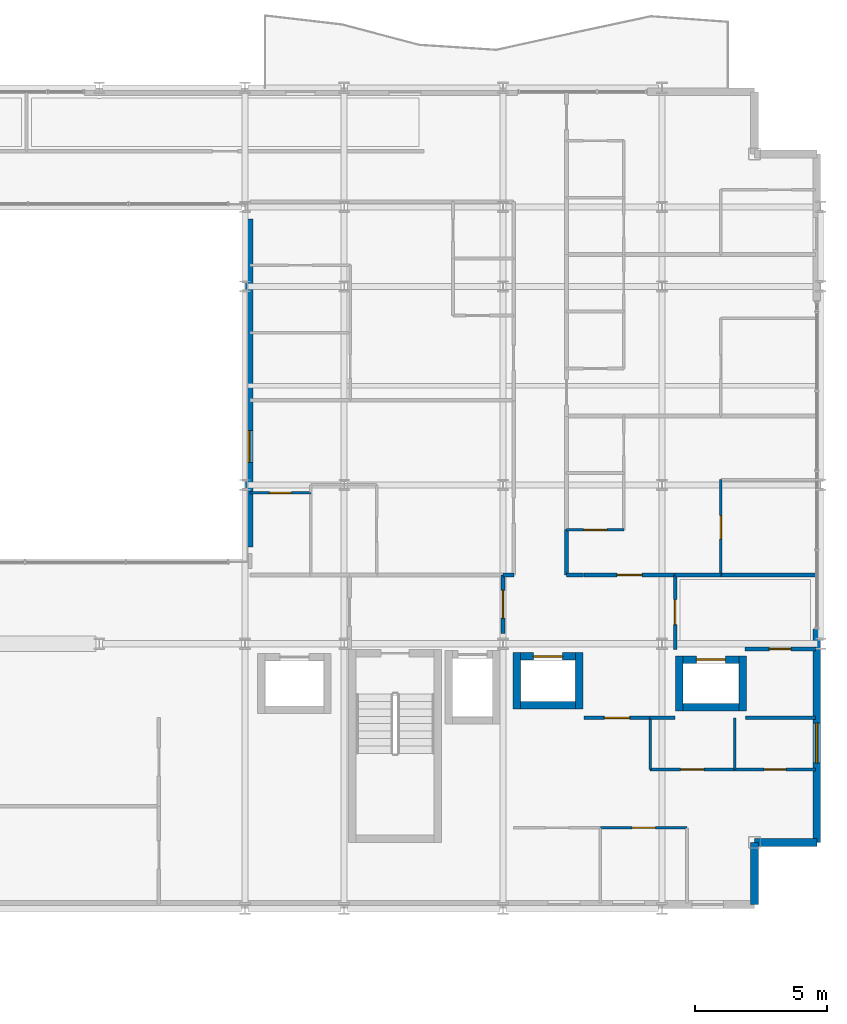
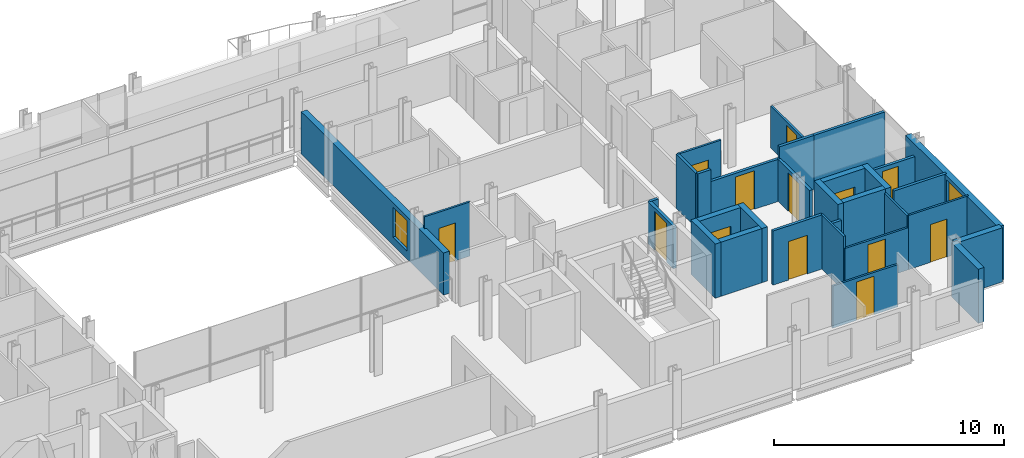
# One storey, part 35 of 41: 32 walls, 13 doors, 2 windows, 15 openings.
"""IFC4 building model written with IfcOpenShell, lengths in metres."""

from ifc_helpers import new_model, si_unit, direction, frame, frame_2d, origin, place, context, subcontext, project, spatial, rectangle, extrude, material, layer, layer_set, type_object, element, fill, save


model = new_model("IFC4")

# Units and contexts
model_context = context("Model", 3, precision=1e-05, world=origin(), true_north=direction((0.0, 1.0)))
body_context = subcontext(model_context, "Body", "Model", "MODEL_VIEW")
ifc_project = project(units=[si_unit("LENGTHUNIT", "METRE"), si_unit("AREAUNIT", "SQUARE_METRE"), si_unit("VOLUMEUNIT", "CUBIC_METRE"), si_unit("PLANEANGLEUNIT", "RADIAN"), si_unit("MASSUNIT", "GRAM", prefix="KILO")], contexts=[model_context])

# Site, building, storey
site_placement = place(None, origin())
site = spatial("IfcSite", under=ifc_project, at=site_placement, CompositionType="ELEMENT")
building_placement = place(site_placement, origin())
building = spatial("IfcBuilding", under=site, at=building_placement, Name="Brevholm Reach", CompositionType="ELEMENT")
storey_placement = place(building_placement, frame((0.0, 0.0, 100.39990234375)))
storey = spatial("IfcBuildingStorey", under=building, at=storey_placement, Name="L29", CompositionType="ELEMENT", Elevation=100.39990234375)

# Walls
ifc_material_1 = material(Name="Concrete C50/60", Category="concrete")
ifc_layer_1 = layer(ifc_material_1, 0.280029296875)
ifc_layer_set_1 = layer_set([ifc_layer_1], Name="Concrete C50/60")
wall_type_1 = type_object("IfcWallType", Name="WAL-COR-280", PredefinedType="SHEAR", material=ifc_layer_set_1)
for number, where, z_axis, x_axis, name in (
    (1, (48.52490234375, 7.534912109375, 0.0), (0.0, 0.0, 1.0), (0.0, 1.0, 0.0), "L29 Lift PL-L1 Shaft Wall W"),
    (2, (50.875, 7.534912109375, 0.0), (0.0, 0.0, 1.0), (0.0, 1.0, 0.0), "L29 Lift PL-L1 Shaft Wall E"),
):
    element("IfcWall", number, at=place(storey_placement, frame(where, z_axis=z_axis, x_axis=x_axis)), inside=storey, type_object=wall_type_1, Name=name, PredefinedType="SHEAR", context=body_context, shape_type="SweptSolid", body=[
        extrude(rectangle(XDim=2.130126953125, YDim=0.280029296875, at=frame_2d((1.06494140625, 0.0))), origin(), (0.0, 0.0, 1.0), 2.880126953125),
    ])
wall_1_placement = place(storey_placement, frame((48.6650390625, 7.675048828125, 0.0), z_axis=(0.0, 0.0, 1.0), x_axis=(1.0, 0.0, 0.0)))
element("IfcWall", 3, at=wall_1_placement, inside=storey, type_object=wall_type_1, Name="L29 Lift PL-L1 Shaft Wall S", PredefinedType="SHEAR", context=body_context, shape_type="SweptSolid", body=[
    extrude(rectangle(XDim=2.070068359375, YDim=0.280029296875, at=frame_2d((1.03515625, 0.0))), origin(), (0.0, 0.0, 1.0), 2.880126953125),
])

# Wall, opening, door
wall_2_placement = place(storey_placement, frame((48.6650390625, 9.52490234375, 0.0), z_axis=(0.0, 0.0, 1.0), x_axis=(1.0, 0.0, 0.0)))
wall_2 = element("IfcWall", 4, at=wall_2_placement, inside=storey, type_object=wall_type_1, Name="L29 Lift PL-L1 Shaft Wall N", PredefinedType="SHEAR", context=body_context, shape_type="SweptSolid", body=[
    extrude(rectangle(XDim=2.070068359375, YDim=0.280029296875, at=frame_2d((1.03515625, 0.0))), origin(), (0.0, 0.0, 1.0), 2.880126953125),
])
opening_1_placement = place(wall_2_placement, frame((0.485107421875, 0.0, 0.0)))
opening_1 = element("IfcOpeningElement", 5, at=opening_1_placement, cuts=wall_2, Name="Opening LD-PL-L1", PredefinedType="OPENING", context=body_context, shape_type="SweptSolid", body=[
    extrude(rectangle(XDim=1.10009765625, YDim=2.06005859375, at=frame_2d((0.550048828125, 1.030029296875))), frame((0.0, 0.14990234375, 0.0), z_axis=(0.0, -1.0, 0.0), x_axis=(1.0, 0.0, 0.0)), (0.0, 0.0, 1.0), 0.300048828125),
])
ifc_material_2 = material(Name="Brushed Stainless Steel Fire-Rated Sliding Lift Door", Category="steel")
door_type_1 = type_object("IfcDoorType", Name="DOR-LFT-1100", OperationType="NOTDEFINED", PredefinedType="DOOR", material=ifc_material_2)
door_1_placement = place(opening_1_placement, origin())
door_1 = element("IfcDoor", 6, at=door_1_placement, inside=storey, type_object=door_type_1, Name="L29 Lift PL-L1 Sliding Landing Door", OperationType="SLIDING_TO_LEFT", OverallHeight=2.06005859375, OverallWidth=1.10009765625, PredefinedType="DOOR", context=body_context, shape_type="SweptSolid", body=[
    extrude(rectangle(XDim=1.10009765625, YDim=2.06005859375, at=frame_2d((0.550048828125, 1.030029296875))), frame((0.0, 0.02490234375, 0.0), z_axis=(0.0, -1.0, 0.0), x_axis=(1.0, 0.0, 0.0)), (0.0, 0.0, 1.0), 0.050048828125),
])
fill(opening_1, door_1)

# Walls
for number, where, z_axis, x_axis, name in (
    (7, (54.64990234375, 7.4599609375, 0.0), (0.0, 0.0, 1.0), (0.0, 1.0, 0.0), "L29 Lift PL-L2 Shaft Wall W"),
    (8, (57.050048828125, 7.4599609375, 0.0), (0.0, 0.0, 1.0), (0.0, 1.0, 0.0), "L29 Lift PL-L2 Shaft Wall E"),
):
    element("IfcWall", number, at=place(storey_placement, frame(where, z_axis=z_axis, x_axis=x_axis)), inside=storey, type_object=wall_type_1, Name=name, PredefinedType="SHEAR", context=body_context, shape_type="SweptSolid", body=[
        extrude(rectangle(XDim=2.080078125, YDim=0.280029296875, at=frame_2d((1.0400390625, 0.0))), origin(), (0.0, 0.0, 1.0), 2.880126953125),
    ])
wall_3_placement = place(storey_placement, frame((54.7900390625, 7.60009765625, 0.0), z_axis=(0.0, 0.0, 1.0), x_axis=(1.0, 0.0, 0.0)))
element("IfcWall", 9, at=wall_3_placement, inside=storey, type_object=wall_type_1, Name="L29 Lift PL-L2 Shaft Wall S", PredefinedType="SHEAR", context=body_context, shape_type="SweptSolid", body=[
    extrude(rectangle(XDim=2.119873046875, YDim=0.280029296875, at=frame_2d((1.06005859375, 0.0))), origin(), (0.0, 0.0, 1.0), 2.880126953125),
])

# Wall, opening, door
wall_4_placement = place(storey_placement, frame((54.7900390625, 9.39990234375, 0.0), z_axis=(0.0, 0.0, 1.0), x_axis=(1.0, 0.0, 0.0)))
wall_4 = element("IfcWall", 10, at=wall_4_placement, inside=storey, type_object=wall_type_1, Name="L29 Lift PL-L2 Shaft Wall N", PredefinedType="SHEAR", context=body_context, shape_type="SweptSolid", body=[
    extrude(rectangle(XDim=2.119873046875, YDim=0.280029296875, at=frame_2d((1.06005859375, 0.0))), origin(), (0.0, 0.0, 1.0), 2.880126953125),
])
opening_2_placement = place(wall_4_placement, frame((0.510009765625, 0.0, 0.0)))
opening_2 = element("IfcOpeningElement", 11, at=opening_2_placement, cuts=wall_4, Name="Opening LD-PL-L2", PredefinedType="OPENING", context=body_context, shape_type="SweptSolid", body=[
    extrude(rectangle(XDim=1.10009765625, YDim=2.06005859375, at=frame_2d((0.550048828125, 1.030029296875))), frame((0.0, 0.14990234375, 0.0), z_axis=(0.0, -1.0, 0.0), x_axis=(1.0, 0.0, 0.0)), (0.0, 0.0, 1.0), 0.300048828125),
])
door_2_placement = place(opening_2_placement, origin())
door_2 = element("IfcDoor", 12, at=door_2_placement, inside=storey, type_object=door_type_1, Name="L29 Lift PL-L2 Sliding Landing Door", OperationType="SLIDING_TO_RIGHT", OverallHeight=2.06005859375, OverallWidth=1.10009765625, PredefinedType="DOOR", context=body_context, shape_type="SweptSolid", body=[
    extrude(rectangle(XDim=1.10009765625, YDim=2.06005859375, at=frame_2d((0.550048828125, 1.030029296875))), frame((0.0, 0.02490234375, 0.0), z_axis=(0.0, -1.0, 0.0), x_axis=(1.0, 0.0, 0.0)), (0.0, 0.0, 1.0), 0.050048828125),
])
fill(opening_2, door_2)

# Walls
ifc_material_3 = material(Name="Concrete C40/50", Category="concrete")
ifc_layer_2 = layer(ifc_material_3, 0.300048828125)
ifc_layer_set_2 = layer_set([ifc_layer_2], Name="Concrete C40/50")
wall_type_2 = type_object("IfcWallType", Name="WAL-EXT-300", PredefinedType="STANDARD", material=ifc_layer_set_2)
for number, where, z_axis, x_axis, name in (
    (13, (57.5, 0.14990234375, 0.0), (0.0, 0.0, 1.0), (0.0, 1.0, 0.0), "L29 Facade Wall WAL-L29-CSE1"),
    (14, (57.5, 2.5, 0.0), (0.0, 0.0, 1.0), (1.0, 0.0, 0.0), "L29 Facade Wall WAL-L29-CSE2"),
):
    element("IfcWall", number, at=place(storey_placement, frame(where, z_axis=z_axis, x_axis=x_axis)), inside=storey, type_object=wall_type_2, Name=name, PredefinedType="STANDARD", context=body_context, shape_type="SweptSolid", body=[
        extrude(rectangle(XDim=2.35009765625, YDim=0.300048828125, at=frame_2d((1.175048828125, 0.0))), origin(), (0.0, 0.0, 1.0), 2.880126953125),
    ])

# Wall, opening, window
wall_5_placement = place(storey_placement, frame((59.85009765625, 2.5, 0.0), z_axis=(0.0, 0.0, 1.0), x_axis=(0.0, 1.0, 0.0)))
wall_5 = element("IfcWall", 15, at=wall_5_placement, inside=storey, type_object=wall_type_2, Name="L29 Facade Wall WAL-L29-E-S", PredefinedType="STANDARD", context=body_context, shape_type="SweptSolid", body=[
    extrude(rectangle(XDim=8.050048828125, YDim=0.300048828125, at=frame_2d((4.02490234375, 0.0))), origin(), (0.0, 0.0, 1.0), 2.880126953125),
])
opening_3_placement = place(wall_5_placement, frame((3.0, 0.0, 0.860107421875)))
opening_3 = element("IfcOpeningElement", 16, at=opening_3_placement, cuts=wall_5, Name="Opening WN-05", PredefinedType="OPENING", context=body_context, shape_type="SweptSolid", body=[
    extrude(rectangle(XDim=1.5, YDim=1.800048828125, at=frame_2d((0.75, 0.89990234375))), frame((0.0, 0.159912109375, 0.0), z_axis=(0.0, -1.0, 0.0), x_axis=(1.0, 0.0, 0.0)), (0.0, 0.0, 1.0), 0.320068359375),
])
ifc_material_4 = material(Name="Dark Anodised Aluminium and Solar-Control IGU Glass", Category="aluminium")
window_type_1 = type_object("IfcWindowType", Name="WIN-RES-1500", PartitioningType="SINGLE_PANEL", PredefinedType="WINDOW", material=ifc_material_4)
window_1_placement = place(opening_3_placement, origin())
window_1 = element("IfcWindow", 17, at=window_1_placement, inside=storey, type_object=window_type_1, Name="L29 Window WIN-L29-ES-1", OverallHeight=1.800048828125, OverallWidth=1.5, PartitioningType="SINGLE_PANEL", PredefinedType="WINDOW", context=body_context, shape_type="SweptSolid", body=[
    extrude(rectangle(XDim=1.5, YDim=1.800048828125, at=frame_2d((0.75, 0.89990234375))), frame((0.0, 0.030029296875, 0.0), z_axis=(0.0, -1.0, 0.0), x_axis=(1.0, 0.0, 0.0)), (0.0, 0.0, 1.0), 0.06005859375),
])
fill(opening_3, window_1)

wall_6_placement = place(storey_placement, frame((38.39990234375, 13.64990234375, 0.0), z_axis=(0.0, 0.0, 1.0), x_axis=(0.0, 1.0, 0.0)))
wall_6 = element("IfcWall", 18, at=wall_6_placement, inside=storey, type_object=wall_type_2, Name="L29 Facade Wall WAL-L29-AT-E", PredefinedType="STANDARD", context=body_context, shape_type="SweptSolid", body=[
    extrude(rectangle(XDim=12.400146484375, YDim=0.300048828125, at=frame_2d((6.2001953125, 0.0))), origin(), (0.0, 0.0, 1.0), 2.242919921875),
])
opening_4_placement = place(wall_6_placement, frame((3.199951171875, 0.0, 0.423095703125)))
opening_4 = element("IfcOpeningElement", 19, at=opening_4_placement, cuts=wall_6, Name="Opening WN-08", PredefinedType="OPENING", context=body_context, shape_type="SweptSolid", body=[
    extrude(rectangle(XDim=1.199951171875, YDim=1.60009765625, at=frame_2d((0.60009765625, 0.800048828125))), frame((0.0, 0.159912109375, 0.0), z_axis=(0.0, -1.0, 0.0), x_axis=(1.0, 0.0, 0.0)), (0.0, 0.0, 1.0), 0.320068359375),
])
ifc_material_5 = material(Name="Dark Anodised Aluminium and Solar-Control IGU Glass", Category="aluminium")
window_type_2 = type_object("IfcWindowType", Name="WIN-RES-1200", PartitioningType="SINGLE_PANEL", PredefinedType="WINDOW", material=ifc_material_5)
window_2_placement = place(opening_4_placement, origin())
window_2 = element("IfcWindow", 20, at=window_2_placement, inside=storey, type_object=window_type_2, Name="L29 Window WIN-L29-AT-E1", OverallHeight=1.60009765625, OverallWidth=1.199951171875, PartitioningType="SINGLE_PANEL", PredefinedType="WINDOW", context=body_context, shape_type="SweptSolid", body=[
    extrude(rectangle(XDim=1.199951171875, YDim=1.60009765625, at=frame_2d((0.60009765625, 0.800048828125))), frame((0.0, 0.030029296875, 0.0), z_axis=(0.0, -1.0, 0.0), x_axis=(1.0, 0.0, 0.0)), (0.0, 0.0, 1.0), 0.06005859375),
])
fill(opening_4, window_2)

# Wall
ifc_material_6 = material(Name="Moisture-Resistant Acoustic Gypsum Stud Partition 100 mm", Category="gypsum")
ifc_layer_3 = layer(ifc_material_6, 0.10009765625)
ifc_layer_set_3 = layer_set([ifc_layer_3], Name="Moisture-Resistant Acoustic Gypsum Stud Partition 100 mm")
wall_type_3 = type_object("IfcWallType", Name="WAL-PRT-100", PredefinedType="PARTITIONING", material=ifc_layer_set_3)
wall_7_placement = place(storey_placement, frame((56.75, 5.25, 0.0), z_axis=(0.0, 0.0, 1.0), x_axis=(0.0, 1.0, 0.0)))
element("IfcWall", 21, at=wall_7_placement, inside=storey, type_object=wall_type_3, Name="L29 Internal Partition 079", PredefinedType="PARTITIONING", context=body_context, shape_type="SweptSolid", body=[
    extrude(rectangle(XDim=1.949951171875, YDim=0.10009765625, at=frame_2d((0.97509765625, 0.0))), origin(), (0.0, 0.0, 1.0), 2.880126953125),
])

# Wall, opening, door
wall_8_placement = place(storey_placement, frame((56.75, 5.25, 0.0), z_axis=(0.0, 0.0, 1.0), x_axis=(1.0, 0.0, 0.0)))
wall_8 = element("IfcWall", 22, at=wall_8_placement, inside=storey, type_object=wall_type_3, Name="L29 Internal Partition 080", PredefinedType="PARTITIONING", context=body_context, shape_type="SweptSolid", body=[
    extrude(rectangle(XDim=3.050048828125, YDim=0.10009765625, at=frame_2d((1.52490234375, 0.0))), origin(), (0.0, 0.0, 1.0), 2.880126953125),
])
opening_5_placement = place(wall_8_placement, frame((1.114990234375, 0.0, 0.0)))
opening_5 = element("IfcOpeningElement", 23, at=opening_5_placement, cuts=wall_8, Name="Opening ID-03", PredefinedType="OPENING", context=body_context, shape_type="SweptSolid", body=[
    extrude(rectangle(XDim=0.820068359375, YDim=2.02001953125, at=frame_2d((0.41015625, 1.010009765625))), frame((0.0, 0.06005859375, 0.0), z_axis=(0.0, -1.0, 0.0), x_axis=(1.0, 0.0, 0.0)), (0.0, 0.0, 1.0), 0.1201171875),
])
ifc_material_7 = material(Name="Moisture-Resistant Painted Timber Internal Bathroom Door", Category="wood")
door_type_2 = type_object("IfcDoorType", Name="DOR-BATH-820", OperationType="NOTDEFINED", PredefinedType="DOOR", material=ifc_material_7)
door_3_placement = place(opening_5_placement, origin())
door_3 = element("IfcDoor", 24, at=door_3_placement, inside=storey, type_object=door_type_2, Name="L29 Internal Door 028", OperationType="SINGLE_SWING_LEFT", OverallHeight=2.02001953125, OverallWidth=0.820068359375, PredefinedType="DOOR", context=body_context, shape_type="SweptSolid", body=[
    extrude(rectangle(XDim=0.820068359375, YDim=2.02001953125, at=frame_2d((0.41015625, 1.010009765625))), frame((0.0, 0.02490234375, 0.0), z_axis=(0.0, -1.0, 0.0), x_axis=(1.0, 0.0, 0.0)), (0.0, 0.0, 1.0), 0.050048828125),
])
fill(opening_5, door_3)

wall_9_placement = place(storey_placement, frame((53.55810546875, 5.25, 0.0), z_axis=(0.0, 0.0, 1.0), x_axis=(1.0, 0.0, 0.0)))
wall_9 = element("IfcWall", 25, at=wall_9_placement, inside=storey, type_object=wall_type_3, Name="L29 Internal Partition 081", PredefinedType="PARTITIONING", context=body_context, shape_type="SweptSolid", body=[
    extrude(rectangle(XDim=3.18798828125, YDim=0.10009765625, at=frame_2d((1.593994140625, 0.0))), origin(), (0.0, 0.0, 1.0), 2.242919921875),
])
opening_6_placement = place(wall_9_placement, frame((1.154052734375, 0.0, 0.0)))
opening_6 = element("IfcOpeningElement", 26, at=opening_6_placement, cuts=wall_9, Name="Opening ID-01", PredefinedType="OPENING", context=body_context, shape_type="SweptSolid", body=[
    extrude(rectangle(XDim=0.8798828125, YDim=2.0400390625, at=frame_2d((0.43994140625, 1.02001953125))), frame((0.0, 0.06005859375, 0.0), z_axis=(0.0, -1.0, 0.0), x_axis=(1.0, 0.0, 0.0)), (0.0, 0.0, 1.0), 0.1201171875),
])
ifc_material_8 = material(Name="Lacquered Ash Solid-Core Acoustic Internal Door", Category="timber")
door_type_3 = type_object("IfcDoorType", Name="DOR-INT-880", OperationType="NOTDEFINED", PredefinedType="DOOR", material=ifc_material_8)
door_4_placement = place(opening_6_placement, origin())
door_4 = element("IfcDoor", 27, at=door_4_placement, inside=storey, type_object=door_type_3, Name="L29 Internal Door 029", OperationType="SINGLE_SWING_RIGHT", OverallHeight=2.0400390625, OverallWidth=0.8798828125, PredefinedType="DOOR", context=body_context, shape_type="SweptSolid", body=[
    extrude(rectangle(XDim=0.8798828125, YDim=2.0400390625, at=frame_2d((0.43994140625, 1.02001953125))), frame((0.0, 0.02490234375, 0.0), z_axis=(0.0, -1.0, 0.0), x_axis=(1.0, 0.0, 0.0)), (0.0, 0.0, 1.0), 0.050048828125),
])
fill(opening_6, door_4)

# Wall
wall_10_placement = place(storey_placement, frame((53.55810546875, 5.25, 0.0), z_axis=(0.0, 0.0, 1.0), x_axis=(0.0, 1.0, 0.0)))
element("IfcWall", 28, at=wall_10_placement, inside=storey, type_object=wall_type_3, Name="L29 Internal Partition 082", PredefinedType="PARTITIONING", context=body_context, shape_type="SweptSolid", body=[
    extrude(rectangle(XDim=1.946044921875, YDim=0.10009765625, at=frame_2d((0.97314453125, 0.0))), origin(), (0.0, 0.0, 1.0), 2.880126953125),
])

# Wall, opening, door
wall_11_placement = place(storey_placement, frame((51.678955078125, 3.050048828125, 0.0), z_axis=(0.0, 0.0, 1.0), x_axis=(1.0, 0.0, 0.0)))
wall_11 = element("IfcWall", 29, at=wall_11_placement, inside=storey, type_object=wall_type_3, Name="L29 Internal Partition 086", PredefinedType="PARTITIONING", context=body_context, shape_type="SweptSolid", body=[
    extrude(rectangle(XDim=3.27099609375, YDim=0.10009765625, at=frame_2d((1.635498046875, 0.0))), origin(), (0.0, 0.0, 1.0), 2.242919921875),
])
opening_7_placement = place(wall_11_placement, frame((1.195556640625, 0.0, 0.0)))
opening_7 = element("IfcOpeningElement", 30, at=opening_7_placement, cuts=wall_11, Name="Opening ID-01", PredefinedType="OPENING", context=body_context, shape_type="SweptSolid", body=[
    extrude(rectangle(XDim=0.8798828125, YDim=2.0400390625, at=frame_2d((0.43994140625, 1.02001953125))), frame((0.0, 0.06005859375, 0.0), z_axis=(0.0, -1.0, 0.0), x_axis=(1.0, 0.0, 0.0)), (0.0, 0.0, 1.0), 0.1201171875),
])
door_5_placement = place(opening_7_placement, origin())
door_5 = element("IfcDoor", 31, at=door_5_placement, inside=storey, type_object=door_type_3, Name="L29 Internal Door 031", OperationType="SINGLE_SWING_RIGHT", OverallHeight=2.0400390625, OverallWidth=0.8798828125, PredefinedType="DOOR", context=body_context, shape_type="SweptSolid", body=[
    extrude(rectangle(XDim=0.8798828125, YDim=2.0400390625, at=frame_2d((0.43994140625, 1.02001953125))), frame((0.0, 0.02490234375, 0.0), z_axis=(0.0, -1.0, 0.0), x_axis=(1.0, 0.0, 0.0)), (0.0, 0.0, 1.0), 0.050048828125),
])
fill(opening_7, door_5)

wall_12_placement = place(storey_placement, frame((38.449951171875, 15.699951171875, 0.0), z_axis=(0.0, 0.0, 1.0), x_axis=(1.0, 0.0, 0.0)))
wall_12 = element("IfcWall", 32, at=wall_12_placement, inside=storey, type_object=wall_type_3, Name="L29 Internal Partition 126", PredefinedType="PARTITIONING", context=body_context, shape_type="SweptSolid", body=[
    extrude(rectangle(XDim=2.2880859375, YDim=0.10009765625, at=frame_2d((1.14404296875, 0.0))), origin(), (0.0, 0.0, 1.0), 2.880126953125),
])
opening_8_placement = place(wall_12_placement, frame((0.73388671875, 0.0, 0.0)))
opening_8 = element("IfcOpeningElement", 33, at=opening_8_placement, cuts=wall_12, Name="Opening ID-03", PredefinedType="OPENING", context=body_context, shape_type="SweptSolid", body=[
    extrude(rectangle(XDim=0.820068359375, YDim=2.02001953125, at=frame_2d((0.41015625, 1.010009765625))), frame((0.0, 0.06005859375, 0.0), z_axis=(0.0, -1.0, 0.0), x_axis=(1.0, 0.0, 0.0)), (0.0, 0.0, 1.0), 0.1201171875),
])
door_6_placement = place(opening_8_placement, origin())
door_6 = element("IfcDoor", 34, at=door_6_placement, inside=storey, type_object=door_type_2, Name="L29 Internal Door 047", OperationType="SINGLE_SWING_RIGHT", OverallHeight=2.02001953125, OverallWidth=0.820068359375, PredefinedType="DOOR", context=body_context, shape_type="SweptSolid", body=[
    extrude(rectangle(XDim=0.820068359375, YDim=2.02001953125, at=frame_2d((0.41015625, 1.010009765625))), frame((0.0, 0.02490234375, 0.0), z_axis=(0.0, -1.0, 0.0), x_axis=(1.0, 0.0, 0.0)), (0.0, 0.0, 1.0), 0.050048828125),
])
fill(opening_8, door_6)

wall_13_placement = place(storey_placement, frame((50.404052734375, 14.300048828125, 0.0), z_axis=(0.0, 0.0, 1.0), x_axis=(1.0, 0.0, 0.0)))
wall_13 = element("IfcWall", 35, at=wall_13_placement, inside=storey, type_object=wall_type_3, Name="L29 Internal Partition 143", PredefinedType="PARTITIONING", context=body_context, shape_type="SweptSolid", body=[
    extrude(rectangle(XDim=2.157958984375, YDim=0.10009765625, at=frame_2d((1.0791015625, 0.0))), origin(), (0.0, 0.0, 1.0), 2.880126953125),
])
opening_9_placement = place(wall_13_placement, frame((0.638916015625, 0.0, 0.0)))
opening_9 = element("IfcOpeningElement", 36, at=opening_9_placement, cuts=wall_13, Name="Opening ID-01", PredefinedType="OPENING", context=body_context, shape_type="SweptSolid", body=[
    extrude(rectangle(XDim=0.8798828125, YDim=2.0400390625, at=frame_2d((0.43994140625, 1.02001953125))), frame((0.0, 0.06005859375, 0.0), z_axis=(0.0, -1.0, 0.0), x_axis=(1.0, 0.0, 0.0)), (0.0, 0.0, 1.0), 0.1201171875),
])
door_7_placement = place(opening_9_placement, origin())
door_7 = element("IfcDoor", 37, at=door_7_placement, inside=storey, type_object=door_type_3, Name="L29 Internal Door 054", OperationType="SINGLE_SWING_LEFT", OverallHeight=2.0400390625, OverallWidth=0.8798828125, PredefinedType="DOOR", context=body_context, shape_type="SweptSolid", body=[
    extrude(rectangle(XDim=0.8798828125, YDim=2.0400390625, at=frame_2d((0.43994140625, 1.02001953125))), frame((0.0, 0.02490234375, 0.0), z_axis=(0.0, -1.0, 0.0), x_axis=(1.0, 0.0, 0.0)), (0.0, 0.0, 1.0), 0.050048828125),
])
fill(opening_9, door_7)

wall_14_placement = place(storey_placement, frame((56.22802734375, 12.60400390625, 0.0), z_axis=(0.0, 0.0, 1.0), x_axis=(0.0, 1.0, 0.0)))
wall_14 = element("IfcWall", 38, at=wall_14_placement, inside=storey, type_object=wall_type_3, Name="L29 Internal Partition 146", PredefinedType="PARTITIONING", context=body_context, shape_type="SweptSolid", body=[
    extrude(rectangle(XDim=3.595947265625, YDim=0.10009765625, at=frame_2d((1.7978515625, 0.0))), origin(), (0.0, 0.0, 1.0), 2.242919921875),
])
opening_10_placement = place(wall_14_placement, frame((1.35791015625, 0.0, 0.0)))
opening_10 = element("IfcOpeningElement", 39, at=opening_10_placement, cuts=wall_14, Name="Opening ID-01", PredefinedType="OPENING", context=body_context, shape_type="SweptSolid", body=[
    extrude(rectangle(XDim=0.8798828125, YDim=2.0400390625, at=frame_2d((0.43994140625, 1.02001953125))), frame((0.0, 0.06005859375, 0.0), z_axis=(0.0, -1.0, 0.0), x_axis=(1.0, 0.0, 0.0)), (0.0, 0.0, 1.0), 0.1201171875),
])
door_8_placement = place(opening_10_placement, origin())
door_8 = element("IfcDoor", 40, at=door_8_placement, inside=storey, type_object=door_type_3, Name="L29 Internal Door 055", OperationType="SINGLE_SWING_RIGHT", OverallHeight=2.0400390625, OverallWidth=0.8798828125, PredefinedType="DOOR", context=body_context, shape_type="SweptSolid", body=[
    extrude(rectangle(XDim=0.8798828125, YDim=2.0400390625, at=frame_2d((0.43994140625, 1.02001953125))), frame((0.0, 0.02490234375, 0.0), z_axis=(0.0, -1.0, 0.0), x_axis=(1.0, 0.0, 0.0)), (0.0, 0.0, 1.0), 0.050048828125),
])
fill(opening_10, door_8)

ifc_material_9 = material(Name="Twin-Stud Acoustic Fire-Rated Gypsum Partition 140 mm", Category="gypsum")
ifc_layer_4 = layer(ifc_material_9, 0.139892578125)
ifc_layer_set_4 = layer_set([ifc_layer_4], Name="Twin-Stud Acoustic Fire-Rated Gypsum Partition 140 mm")
wall_type_4 = type_object("IfcWallType", Name="WAL-PRT-140", PredefinedType="PARTITIONING", material=ifc_layer_set_4)
wall_15_placement = place(storey_placement, frame((54.5, 9.788818359375, 0.0), z_axis=(0.0, 0.0, 1.0), x_axis=(0.0, 1.0, 0.0)))
wall_15 = element("IfcWall", 41, at=wall_15_placement, inside=storey, type_object=wall_type_4, Name="L29 Internal Partition 009", PredefinedType="PARTITIONING", context=body_context, shape_type="SweptSolid", body=[
    extrude(rectangle(XDim=2.811279296875, YDim=0.139892578125, at=frame_2d((1.40576171875, 0.0))), origin(), (0.0, 0.0, 1.0), 2.242919921875),
])
opening_11_placement = place(wall_15_placement, frame((0.9306640625, 0.0, 0.0)))
opening_11 = element("IfcOpeningElement", 42, at=opening_11_placement, cuts=wall_15, Name="Opening ID-30", PredefinedType="OPENING", context=body_context, shape_type="SweptSolid", body=[
    extrude(rectangle(XDim=0.949951171875, YDim=2.050048828125, at=frame_2d((0.47509765625, 1.02490234375))), frame((0.0, 0.079833984375, 0.0), z_axis=(0.0, -1.0, 0.0), x_axis=(1.0, 0.0, 0.0)), (0.0, 0.0, 1.0), 0.159912109375),
])
ifc_material_10 = material(Name="European Oak Veneered Solid-Core Fire Entrance Door", Category="timber")
door_type_4 = type_object("IfcDoorType", Name="DOR-FLT-FD30S", OperationType="NOTDEFINED", PredefinedType="DOOR", material=ifc_material_10)
door_9_placement = place(opening_11_placement, origin())
door_9 = element("IfcDoor", 43, at=door_9_placement, inside=storey, type_object=door_type_4, Name="L29 Internal Door 005", OperationType="SINGLE_SWING_RIGHT", OverallHeight=2.050048828125, OverallWidth=0.949951171875, PredefinedType="DOOR", context=body_context, shape_type="SweptSolid", body=[
    extrude(rectangle(XDim=0.949951171875, YDim=2.050048828125, at=frame_2d((0.47509765625, 1.02490234375))), frame((0.0, 0.02490234375, 0.0), z_axis=(0.0, -1.0, 0.0), x_axis=(1.0, 0.0, 0.0)), (0.0, 0.0, 1.0), 0.050048828125),
])
fill(opening_11, door_9)

# Wall
wall_16_placement = place(storey_placement, frame((53.546630859375, 7.199951171875, 0.0), z_axis=(0.0, 0.0, 1.0), x_axis=(1.0, 0.0, 0.0)))
element("IfcWall", 44, at=wall_16_placement, inside=storey, type_object=wall_type_4, Name="L29 Internal Partition 010", PredefinedType="PARTITIONING", context=body_context, shape_type="SweptSolid", body=[
    extrude(rectangle(XDim=0.953369140625, YDim=0.139892578125, at=frame_2d((0.4765625, 0.0))), origin(), (0.0, 0.0, 1.0), 2.242919921875),
])

# Wall, opening, door
wall_17_placement = place(storey_placement, frame((51.050048828125, 7.199951171875, 0.0), z_axis=(0.0, 0.0, 1.0), x_axis=(1.0, 0.0, 0.0)))
wall_17 = element("IfcWall", 45, at=wall_17_placement, inside=storey, type_object=wall_type_4, Name="L29 Internal Partition 011", PredefinedType="PARTITIONING", context=body_context, shape_type="SweptSolid", body=[
    extrude(rectangle(XDim=2.51513671875, YDim=0.139892578125, at=frame_2d((1.257568359375, 0.0))), origin(), (0.0, 0.0, 1.0), 2.880126953125),
])
opening_12_placement = place(wall_17_placement, frame((0.78271484375, 0.0, 0.0)))
opening_12 = element("IfcOpeningElement", 46, at=opening_12_placement, cuts=wall_17, Name="Opening ID-30", PredefinedType="OPENING", context=body_context, shape_type="SweptSolid", body=[
    extrude(rectangle(XDim=0.949951171875, YDim=2.050048828125, at=frame_2d((0.47509765625, 1.02490234375))), frame((0.0, 0.079833984375, 0.0), z_axis=(0.0, -1.0, 0.0), x_axis=(1.0, 0.0, 0.0)), (0.0, 0.0, 1.0), 0.159912109375),
])
door_10_placement = place(opening_12_placement, origin())
door_10 = element("IfcDoor", 47, at=door_10_placement, inside=storey, type_object=door_type_4, Name="L29 Internal Door 006", OperationType="SINGLE_SWING_LEFT", OverallHeight=2.050048828125, OverallWidth=0.949951171875, PredefinedType="DOOR", context=body_context, shape_type="SweptSolid", body=[
    extrude(rectangle(XDim=0.949951171875, YDim=2.050048828125, at=frame_2d((0.47509765625, 1.02490234375))), frame((0.0, 0.02490234375, 0.0), z_axis=(0.0, -1.0, 0.0), x_axis=(1.0, 0.0, 0.0)), (0.0, 0.0, 1.0), 0.050048828125),
])
fill(opening_12, door_10)

wall_18_placement = place(storey_placement, frame((51.050048828125, 12.60009765625, 0.0), z_axis=(0.0, 0.0, 1.0), x_axis=(1.0, 0.0, 0.0)))
wall_18 = element("IfcWall", 48, at=wall_18_placement, inside=storey, type_object=wall_type_4, Name="L29 Internal Partition 012", PredefinedType="PARTITIONING", context=body_context, shape_type="SweptSolid", body=[
    extrude(rectangle(XDim=3.449951171875, YDim=0.139892578125, at=frame_2d((1.72509765625, 0.0))), origin(), (0.0, 0.0, 1.0), 2.242919921875),
])
opening_13_placement = place(wall_18_placement, frame((1.25, 0.0, 0.0)))
opening_13 = element("IfcOpeningElement", 49, at=opening_13_placement, cuts=wall_18, Name="Opening ID-30", PredefinedType="OPENING", context=body_context, shape_type="SweptSolid", body=[
    extrude(rectangle(XDim=0.949951171875, YDim=2.050048828125, at=frame_2d((0.47509765625, 1.02490234375))), frame((0.0, 0.079833984375, 0.0), z_axis=(0.0, -1.0, 0.0), x_axis=(1.0, 0.0, 0.0)), (0.0, 0.0, 1.0), 0.159912109375),
])
door_11_placement = place(opening_13_placement, origin())
door_11 = element("IfcDoor", 50, at=door_11_placement, inside=storey, type_object=door_type_4, Name="L29 Internal Door 007", OperationType="SINGLE_SWING_RIGHT", OverallHeight=2.050048828125, OverallWidth=0.949951171875, PredefinedType="DOOR", context=body_context, shape_type="SweptSolid", body=[
    extrude(rectangle(XDim=0.949951171875, YDim=2.050048828125, at=frame_2d((0.47509765625, 1.02490234375))), frame((0.0, 0.02490234375, 0.0), z_axis=(0.0, -1.0, 0.0), x_axis=(1.0, 0.0, 0.0)), (0.0, 0.0, 1.0), 0.050048828125),
])
fill(opening_13, door_11)

# Walls
wall_19_placement = place(storey_placement, frame((48.00390625, 12.60009765625, 0.0), z_axis=(0.0, 0.0, 1.0), x_axis=(1.0, 0.0, 0.0)))
element("IfcWall", 51, at=wall_19_placement, inside=storey, type_object=wall_type_4, Name="L29 Internal Partition 029", PredefinedType="PARTITIONING", context=body_context, shape_type="SweptSolid", body=[
    extrude(rectangle(XDim=0.4033203125, YDim=0.139892578125, at=frame_2d((0.20166015625, 0.0))), origin(), (0.0, 0.0, 1.0), 2.242919921875),
])
wall_20_placement = place(storey_placement, frame((50.392578125, 12.60009765625, 0.0), z_axis=(0.0, 0.0, 1.0), x_axis=(1.0, 0.0, 0.0)))
element("IfcWall", 52, at=wall_20_placement, inside=storey, type_object=wall_type_4, Name="L29 Internal Partition 030", PredefinedType="PARTITIONING", context=body_context, shape_type="SweptSolid", body=[
    extrude(rectangle(XDim=0.6533203125, YDim=0.139892578125, at=frame_2d((0.32666015625, 0.0))), origin(), (0.0, 0.0, 1.0), 2.880126953125),
])
wall_21_placement = place(storey_placement, frame((50.39990234375, 12.60400390625, 0.0), z_axis=(0.0, 0.0, 1.0), x_axis=(0.0, 1.0, 0.0)))
element("IfcWall", 53, at=wall_21_placement, inside=storey, type_object=wall_type_4, Name="L29 Internal Partition 050", PredefinedType="PARTITIONING", context=body_context, shape_type="SweptSolid", body=[
    extrude(rectangle(XDim=1.703369140625, YDim=0.139892578125, at=frame_2d((0.8515625, 0.0))), origin(), (0.0, 0.0, 1.0), 2.880126953125),
])

# Wall, opening, door
wall_22_placement = place(storey_placement, frame((57.138671875, 9.800048828125, 0.0), z_axis=(0.0, 0.0, 1.0), x_axis=(1.0, 0.0, 0.0)))
wall_22 = element("IfcWall", 54, at=wall_22_placement, inside=storey, type_object=wall_type_4, Name="L29 Internal Partition 075", PredefinedType="PARTITIONING", context=body_context, shape_type="SweptSolid", body=[
    extrude(rectangle(XDim=2.661376953125, YDim=0.139892578125, at=frame_2d((1.33056640625, 0.0))), origin(), (0.0, 0.0, 1.0), 2.242919921875),
])
opening_14_placement = place(wall_22_placement, frame((0.920654296875, 0.0, 0.0)))
opening_14 = element("IfcOpeningElement", 55, at=opening_14_placement, cuts=wall_22, Name="Opening ID-02", PredefinedType="OPENING", context=body_context, shape_type="SweptSolid", body=[
    extrude(rectangle(XDim=0.820068359375, YDim=2.02001953125, at=frame_2d((0.41015625, 1.010009765625))), frame((0.0, 0.079833984375, 0.0), z_axis=(0.0, -1.0, 0.0), x_axis=(1.0, 0.0, 0.0)), (0.0, 0.0, 1.0), 0.159912109375),
])
ifc_material_11 = material(Name="Moisture-Resistant Painted Timber Fire-Rated Riser and Service Door", Category="wood")
door_type_5 = type_object("IfcDoorType", Name="DOR-SRV-820", OperationType="NOTDEFINED", PredefinedType="DOOR", material=ifc_material_11)
door_12_placement = place(opening_14_placement, origin())
door_12 = element("IfcDoor", 56, at=door_12_placement, inside=storey, type_object=door_type_5, Name="L29 Access Door 063", OperationType="SINGLE_SWING_RIGHT", OverallHeight=2.02001953125, OverallWidth=0.820068359375, PredefinedType="DOOR", context=body_context, shape_type="SweptSolid", body=[
    extrude(rectangle(XDim=0.820068359375, YDim=2.02001953125, at=frame_2d((0.41015625, 1.010009765625))), frame((0.0, 0.02490234375, 0.0), z_axis=(0.0, -1.0, 0.0), x_axis=(1.0, 0.0, 0.0)), (0.0, 0.0, 1.0), 0.050048828125),
])
fill(opening_14, door_12)

# Walls
wall_23_placement = place(storey_placement, frame((56.216796875, 12.60009765625, 0.0), z_axis=(0.0, 0.0, 1.0), x_axis=(1.0, 0.0, 0.0)))
element("IfcWall", 57, at=wall_23_placement, inside=storey, type_object=wall_type_4, Name="L29 Internal Partition 076", PredefinedType="PARTITIONING", context=body_context, shape_type="SweptSolid", body=[
    extrude(rectangle(XDim=3.583251953125, YDim=0.139892578125, at=frame_2d((1.79150390625, 0.0))), origin(), (0.0, 0.0, 1.0), 2.880126953125),
])
wall_24_placement = place(storey_placement, frame((54.50390625, 12.60009765625, 0.0), z_axis=(0.0, 0.0, 1.0), x_axis=(1.0, 0.0, 0.0)))
element("IfcWall", 58, at=wall_24_placement, inside=storey, type_object=wall_type_4, Name="L29 Internal Partition 077", PredefinedType="PARTITIONING", context=body_context, shape_type="SweptSolid", body=[
    extrude(rectangle(XDim=1.7314453125, YDim=0.139892578125, at=frame_2d((0.86572265625, 0.0))), origin(), (0.0, 0.0, 1.0), 2.880126953125),
])
wall_25_placement = place(storey_placement, frame((57.14990234375, 7.199951171875, 0.0), z_axis=(0.0, 0.0, 1.0), x_axis=(1.0, 0.0, 0.0)))
element("IfcWall", 59, at=wall_25_placement, inside=storey, type_object=wall_type_4, Name="L29 Internal Partition 078", PredefinedType="PARTITIONING", context=body_context, shape_type="SweptSolid", body=[
    extrude(rectangle(XDim=2.650146484375, YDim=0.139892578125, at=frame_2d((1.3251953125, 0.0))), origin(), (0.0, 0.0, 1.0), 2.880126953125),
])

# Wall, opening, door
ifc_material_12 = material(Name="Twin-Frame Fire-Rated Gypsum Board and Mineral Wool 160 mm", Category="gypsum")
ifc_layer_5 = layer(ifc_material_12, 0.159912109375)
ifc_layer_set_5 = layer_set([ifc_layer_5], Name="Twin-Frame Fire-Rated Gypsum Board and Mineral Wool 160 mm")
wall_type_5 = type_object("IfcWallType", Name="WAL-PRT-160", PredefinedType="PARTITIONING", material=ifc_layer_set_5)
wall_26_placement = place(storey_placement, frame((48.0, 10.388671875, 0.0), z_axis=(0.0, 0.0, 1.0), x_axis=(0.0, 1.0, 0.0)))
wall_26 = element("IfcWall", 60, at=wall_26_placement, inside=storey, type_object=wall_type_5, Name="L29 Internal Partition 020", PredefinedType="PARTITIONING", context=body_context, shape_type="SweptSolid", body=[
    extrude(rectangle(XDim=2.21142578125, YDim=0.159912109375, at=frame_2d((1.105712890625, 0.0))), origin(), (0.0, 0.0, 1.0), 2.242919921875),
])
opening_15_placement = place(wall_26_placement, frame((0.58056640625, 0.0, 0.0)))
opening_15 = element("IfcOpeningElement", 61, at=opening_15_placement, cuts=wall_26, Name="Opening FD-01", PredefinedType="OPENING", context=body_context, shape_type="SweptSolid", body=[
    extrude(rectangle(XDim=1.050048828125, YDim=2.06005859375, at=frame_2d((0.52490234375, 1.030029296875))), frame((0.0, 0.08984375, 0.0), z_axis=(0.0, -1.0, 0.0), x_axis=(1.0, 0.0, 0.0)), (0.0, 0.0, 1.0), 0.179931640625),
])
ifc_material_13 = material(Name="Hardwood-Lipped Steel-Core Fire and Smoke Door", Category="steel")
door_type_6 = type_object("IfcDoorType", Name="DOR-INT-FD60S", OperationType="NOTDEFINED", PredefinedType="DOOR", material=ifc_material_13)
door_13_placement = place(opening_15_placement, origin())
door_13 = element("IfcDoor", 62, at=door_13_placement, inside=storey, type_object=door_type_6, Name="L29 Internal Door 011", OperationType="SINGLE_SWING_RIGHT", OverallHeight=2.06005859375, OverallWidth=1.050048828125, PredefinedType="DOOR", context=body_context, shape_type="SweptSolid", body=[
    extrude(rectangle(XDim=1.050048828125, YDim=2.06005859375, at=frame_2d((0.52490234375, 1.030029296875))), frame((0.0, 0.02490234375, 0.0), z_axis=(0.0, -1.0, 0.0), x_axis=(1.0, 0.0, 0.0)), (0.0, 0.0, 1.0), 0.050048828125),
])
fill(opening_15, door_13)

save(model, "model.ifc")
